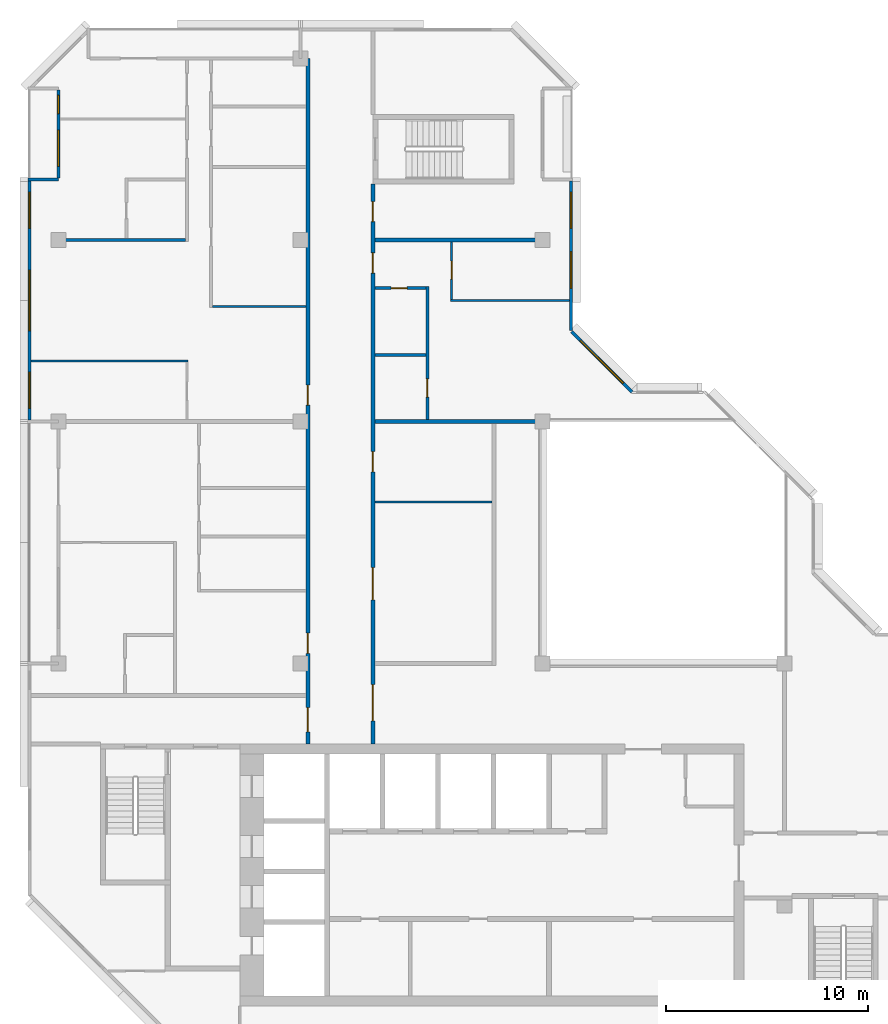
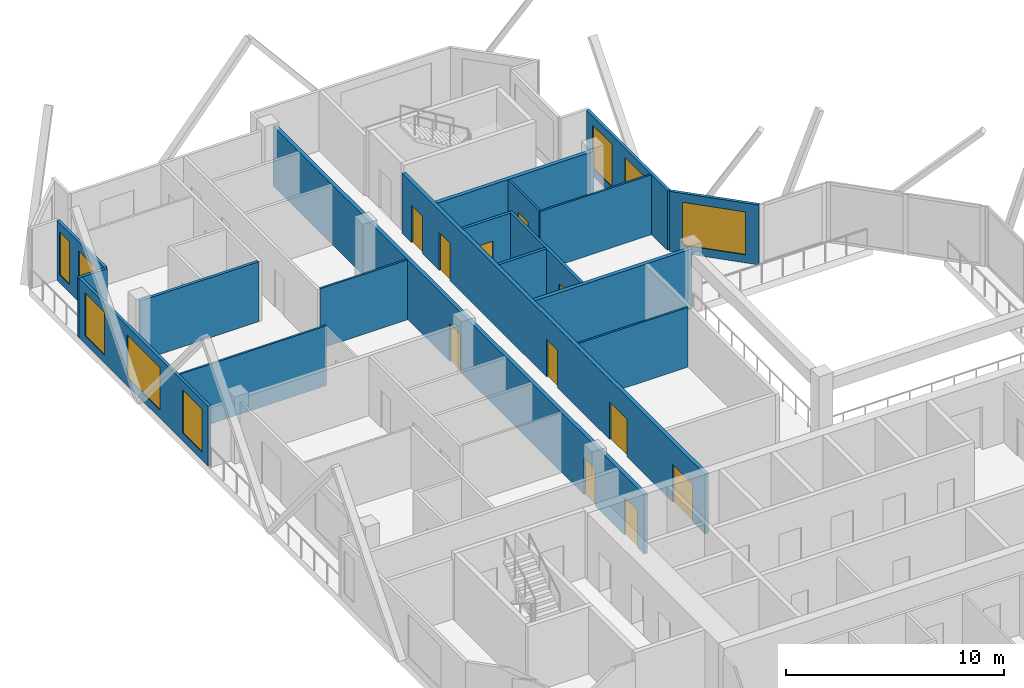
# One storey, part 8 of 12: 18 walls, 11 doors, 8 windows, 19 openings.
"""IFC4 building model written with IfcOpenShell, lengths in metres."""

from ifc_helpers import new_model, si_unit, direction, frame, frame_2d, origin, place, context, subcontext, project, spatial, rectangle, extrude, material, layer, layer_set, type_object, element, fill, save


model = new_model("IFC4")

# Units and contexts
model_context = context("Model", 3, precision=1e-05, world=origin(), true_north=direction((0.0, 1.0)))
body_context = subcontext(model_context, "Body", "Model", "MODEL_VIEW")
ifc_project = project(units=[si_unit("LENGTHUNIT", "METRE"), si_unit("AREAUNIT", "SQUARE_METRE"), si_unit("VOLUMEUNIT", "CUBIC_METRE"), si_unit("PLANEANGLEUNIT", "RADIAN"), si_unit("MASSUNIT", "GRAM", prefix="KILO")], contexts=[model_context])

# Site, building, storey
site_placement = place(None, origin())
site = spatial("IfcSite", under=ifc_project, at=site_placement, CompositionType="ELEMENT")
building_placement = place(site_placement, origin())
building = spatial("IfcBuilding", under=site, at=building_placement, Name="Chenar Terraces", CompositionType="ELEMENT")
storey_placement = place(building_placement, frame((0.0, 0.0, 368.89990234375)))
storey = spatial("IfcBuildingStorey", under=building, at=storey_placement, Name="L86", CompositionType="ELEMENT", Elevation=368.89990234375)

# Wall, openings, doors
ifc_material_1 = material(Name="Gypsum board on steel studs with fire boards", Category="steel")
ifc_layer_1 = layer(ifc_material_1, 0.199951171875)
ifc_layer_set_1 = layer_set([ifc_layer_1], Name="Gypsum board on steel studs with fire boards")
wall_type_1 = type_object("IfcWallType", Name="Corridor wall 200", PredefinedType="PARTITIONING", material=ifc_layer_set_1)
wall_1_placement = place(storey_placement, frame((12.375, 20.0, 0.0), z_axis=(0.0, 0.0, 1.0), x_axis=(0.0, 1.0, 0.0)))
wall_1 = element("IfcWall", 1, at=wall_1_placement, inside=storey, type_object=wall_type_1, Name="Partition L86-028", PredefinedType="PARTITIONING", context=body_context, shape_type="SweptSolid", body=[
    extrude(rectangle(XDim=34.0, YDim=0.199951171875, at=frame_2d((17.0, 0.0))), origin(), (0.0, 0.0, 1.0), 3.35009765625),
])
opening_1_placement = place(wall_1_placement, frame((16.800048828125, 0.0, 0.0)))
opening_1 = element("IfcOpeningElement", 2, at=opening_1_placement, cuts=wall_1, Name="Opening DL86-13", PredefinedType="OPENING", context=body_context, shape_type="SweptSolid", body=[
    extrude(rectangle(XDim=1.0, YDim=2.10009765625, at=frame_2d((0.5, 1.050048828125))), frame((0.0, 0.10986328125, 0.0), z_axis=(0.0, -1.0, 0.0), x_axis=(1.0, 0.0, 0.0)), (0.0, 0.0, 1.0), 0.219970703125),
])
opening_2_placement = place(wall_1_placement, frame((0.60009765625, 0.0, 0.0)))
opening_2 = element("IfcOpeningElement", 3, at=opening_2_placement, cuts=wall_1, Name="Opening DL86-18", PredefinedType="OPENING", context=body_context, shape_type="SweptSolid", body=[
    extrude(rectangle(XDim=1.199951171875, YDim=2.10009765625, at=frame_2d((0.60009765625, 1.050048828125))), frame((0.0, 0.10986328125, 0.0), z_axis=(0.0, -1.0, 0.0), x_axis=(1.0, 0.0, 0.0)), (0.0, 0.0, 1.0), 0.219970703125),
])
opening_3_placement = place(wall_1_placement, frame((4.5, 0.0, 0.0)))
opening_3 = element("IfcOpeningElement", 4, at=opening_3_placement, cuts=wall_1, Name="Opening DL86-41", PredefinedType="OPENING", context=body_context, shape_type="SweptSolid", body=[
    extrude(rectangle(XDim=1.0, YDim=2.10009765625, at=frame_2d((0.5, 1.050048828125))), frame((0.0, 0.10986328125, 0.0), z_axis=(0.0, -1.0, 0.0), x_axis=(1.0, 0.0, 0.0)), (0.0, 0.0, 1.0), 0.219970703125),
])
ifc_material_2 = material(Name="Steel-framed fire-resisting door leaf", Category="steel")
door_type_1 = type_object("IfcDoorType", Name="Fire door FD30S 1000 x 2100", OperationType="SINGLE_SWING_LEFT", PredefinedType="DOOR", material=ifc_material_2)
door_1_placement = place(opening_1_placement, origin())
door_1 = element("IfcDoor", 5, at=door_1_placement, inside=storey, type_object=door_type_1, Name="Door DL86-13", OperationType="SINGLE_SWING_LEFT", OverallHeight=2.10009765625, OverallWidth=1.0, PredefinedType="DOOR", context=body_context, shape_type="SweptSolid", body=[
    extrude(rectangle(XDim=1.0, YDim=2.10009765625, at=frame_2d((0.5, 1.050048828125))), frame((0.0, 0.02490234375, 0.0), z_axis=(0.0, -1.0, 0.0), x_axis=(1.0, 0.0, 0.0)), (0.0, 0.0, 1.0), 0.050048828125),
])
fill(opening_1, door_1)
door_2_placement = place(opening_3_placement, origin())
door_2 = element("IfcDoor", 6, at=door_2_placement, inside=storey, type_object=door_type_1, Name="Door DL86-41", OperationType="SINGLE_SWING_LEFT", OverallHeight=2.10009765625, OverallWidth=1.0, PredefinedType="DOOR", context=body_context, shape_type="SweptSolid", body=[
    extrude(rectangle(XDim=1.0, YDim=2.10009765625, at=frame_2d((0.5, 1.050048828125))), frame((0.0, 0.02490234375, 0.0), z_axis=(0.0, -1.0, 0.0), x_axis=(1.0, 0.0, 0.0)), (0.0, 0.0, 1.0), 0.050048828125),
])
fill(opening_3, door_2)
ifc_material_3 = material(Name="Steel-framed fire-resisting door leaf", Category="steel")
door_type_2 = type_object("IfcDoorType", Name="Fire door FD30S 1200 x 2100", OperationType="SINGLE_SWING_LEFT", PredefinedType="DOOR", material=ifc_material_3)
door_3_placement = place(opening_2_placement, origin())
door_3 = element("IfcDoor", 7, at=door_3_placement, inside=storey, type_object=door_type_2, Name="Door DL86-18", OperationType="SINGLE_SWING_RIGHT", OverallHeight=2.10009765625, OverallWidth=1.199951171875, PredefinedType="DOOR", context=body_context, shape_type="SweptSolid", body=[
    extrude(rectangle(XDim=1.199951171875, YDim=2.10009765625, at=frame_2d((0.60009765625, 1.050048828125))), frame((0.0, 0.02490234375, 0.0), z_axis=(0.0, -1.0, 0.0), x_axis=(1.0, 0.0, 0.0)), (0.0, 0.0, 1.0), 0.050048828125),
])
fill(opening_2, door_3)

wall_2_placement = place(storey_placement, frame((15.60009765625, 20.0, 0.0), z_axis=(0.0, 0.0, 1.0), x_axis=(0.0, 1.0, 0.0)))
wall_2 = element("IfcWall", 8, at=wall_2_placement, inside=storey, type_object=wall_type_1, Name="Partition L86-031", PredefinedType="PARTITIONING", context=body_context, shape_type="SweptSolid", body=[
    extrude(rectangle(XDim=27.77490234375, YDim=0.199951171875, at=frame_2d((13.887451171875, 0.0))), origin(), (0.0, 0.0, 1.0), 3.35009765625),
])
opening_4_placement = place(wall_2_placement, frame((7.14990234375, 0.0, 0.0)))
opening_4 = element("IfcOpeningElement", 9, at=opening_4_placement, cuts=wall_2, Name="Opening DL86-1", PredefinedType="OPENING", context=body_context, shape_type="SweptSolid", body=[
    extrude(rectangle(XDim=1.60009765625, YDim=2.10009765625, at=frame_2d((0.800048828125, 1.050048828125))), frame((0.0, 0.10986328125, 0.0), z_axis=(0.0, -1.0, 0.0), x_axis=(1.0, 0.0, 0.0)), (0.0, 0.0, 1.0), 0.219970703125),
])
opening_5_placement = place(wall_2_placement, frame((13.5, 0.0, 0.0)))
opening_5 = element("IfcOpeningElement", 10, at=opening_5_placement, cuts=wall_2, Name="Opening DL86-2", PredefinedType="OPENING", context=body_context, shape_type="SweptSolid", body=[
    extrude(rectangle(XDim=1.0, YDim=2.10009765625, at=frame_2d((0.5, 1.050048828125))), frame((0.0, 0.10986328125, 0.0), z_axis=(0.0, -1.0, 0.0), x_axis=(1.0, 0.0, 0.0)), (0.0, 0.0, 1.0), 0.219970703125),
])
opening_6_placement = place(wall_2_placement, frame((23.35009765625, 0.0, 0.0)))
opening_6 = element("IfcOpeningElement", 11, at=opening_6_placement, cuts=wall_2, Name="Opening DL86-7", PredefinedType="OPENING", context=body_context, shape_type="SweptSolid", body=[
    extrude(rectangle(XDim=1.0, YDim=2.10009765625, at=frame_2d((0.5, 1.050048828125))), frame((0.0, 0.10986328125, 0.0), z_axis=(0.0, -1.0, 0.0), x_axis=(1.0, 0.0, 0.0)), (0.0, 0.0, 1.0), 0.219970703125),
])
opening_7_placement = place(wall_2_placement, frame((1.14990234375, 0.0, 0.0)))
opening_7 = element("IfcOpeningElement", 12, at=opening_7_placement, cuts=wall_2, Name="Opening DL86-17", PredefinedType="OPENING", context=body_context, shape_type="SweptSolid", body=[
    extrude(rectangle(XDim=1.800048828125, YDim=2.10009765625, at=frame_2d((0.89990234375, 1.050048828125))), frame((0.0, 0.10986328125, 0.0), z_axis=(0.0, -1.0, 0.0), x_axis=(1.0, 0.0, 0.0)), (0.0, 0.0, 1.0), 0.219970703125),
])
opening_8_placement = place(wall_2_placement, frame((25.89990234375, 0.0, 0.0)))
opening_8 = element("IfcOpeningElement", 13, at=opening_8_placement, cuts=wall_2, Name="Opening DL86-20", PredefinedType="OPENING", context=body_context, shape_type="SweptSolid", body=[
    extrude(rectangle(XDim=1.0, YDim=2.10009765625, at=frame_2d((0.5, 1.050048828125))), frame((0.0, 0.10986328125, 0.0), z_axis=(0.0, -1.0, 0.0), x_axis=(1.0, 0.0, 0.0)), (0.0, 0.0, 1.0), 0.219970703125),
])
ifc_material_4 = material(Name="Steel-framed fire-resisting door leaf", Category="steel")
door_type_3 = type_object("IfcDoorType", Name="Fire door FD60 1000 x 2100", OperationType="SINGLE_SWING_LEFT", PredefinedType="DOOR", material=ifc_material_4)
door_4_placement = place(opening_5_placement, frame((1.0, 0.0, 0.0), z_axis=(0.0, 0.0, 1.0), x_axis=(-1.0, 0.0, 0.0)))
door_4 = element("IfcDoor", 14, at=door_4_placement, inside=storey, type_object=door_type_3, Name="Door DL86-2", OperationType="SINGLE_SWING_LEFT", OverallHeight=2.10009765625, OverallWidth=1.0, PredefinedType="DOOR", context=body_context, shape_type="SweptSolid", body=[
    extrude(rectangle(XDim=1.0, YDim=2.10009765625, at=frame_2d((0.5, 1.050048828125))), frame((0.0, 0.02490234375, 0.0), z_axis=(0.0, -1.0, 0.0), x_axis=(1.0, 0.0, 0.0)), (0.0, 0.0, 1.0), 0.050048828125),
])
fill(opening_5, door_4)
door_5_placement = place(opening_6_placement, frame((1.0, 0.0, 0.0), z_axis=(0.0, 0.0, 1.0), x_axis=(-1.0, 0.0, 0.0)))
door_5 = element("IfcDoor", 15, at=door_5_placement, inside=storey, type_object=door_type_3, Name="Door DL86-7", OperationType="SINGLE_SWING_LEFT", OverallHeight=2.10009765625, OverallWidth=1.0, PredefinedType="DOOR", context=body_context, shape_type="SweptSolid", body=[
    extrude(rectangle(XDim=1.0, YDim=2.10009765625, at=frame_2d((0.5, 1.050048828125))), frame((0.0, 0.02490234375, 0.0), z_axis=(0.0, -1.0, 0.0), x_axis=(1.0, 0.0, 0.0)), (0.0, 0.0, 1.0), 0.050048828125),
])
fill(opening_6, door_5)
door_6_placement = place(opening_8_placement, frame((1.0, 0.0, 0.0), z_axis=(0.0, 0.0, 1.0), x_axis=(-1.0, 0.0, 0.0)))
door_6 = element("IfcDoor", 16, at=door_6_placement, inside=storey, type_object=door_type_3, Name="Door DL86-20", OperationType="SINGLE_SWING_RIGHT", OverallHeight=2.10009765625, OverallWidth=1.0, PredefinedType="DOOR", context=body_context, shape_type="SweptSolid", body=[
    extrude(rectangle(XDim=1.0, YDim=2.10009765625, at=frame_2d((0.5, 1.050048828125))), frame((0.0, 0.02490234375, 0.0), z_axis=(0.0, -1.0, 0.0), x_axis=(1.0, 0.0, 0.0)), (0.0, 0.0, 1.0), 0.050048828125),
])
fill(opening_8, door_6)
ifc_material_5 = material(Name="Steel-framed fire-resisting door leaf", Category="steel")
door_type_4 = type_object("IfcDoorType", Name="Fire double door FD60 1600 x 2100", OperationType="DOUBLE_DOOR_SINGLE_SWING", PredefinedType="DOOR", material=ifc_material_5)
door_7_placement = place(opening_4_placement, frame((1.60009765625, 0.0, 0.0), z_axis=(0.0, 0.0, 1.0), x_axis=(-1.0, 0.0, 0.0)))
door_7 = element("IfcDoor", 17, at=door_7_placement, inside=storey, type_object=door_type_4, Name="Door DL86-1", OperationType="DOUBLE_DOOR_SINGLE_SWING", OverallHeight=2.10009765625, OverallWidth=1.60009765625, PredefinedType="DOOR", context=body_context, shape_type="SweptSolid", body=[
    extrude(rectangle(XDim=1.60009765625, YDim=2.10009765625, at=frame_2d((0.800048828125, 1.050048828125))), frame((0.0, 0.02490234375, 0.0), z_axis=(0.0, -1.0, 0.0), x_axis=(1.0, 0.0, 0.0)), (0.0, 0.0, 1.0), 0.050048828125),
])
fill(opening_4, door_7)
ifc_material_6 = material(Name="Steel-framed fire-resisting door leaf", Category="steel")
door_type_5 = type_object("IfcDoorType", Name="Fire double door FD60 1800 x 2100", OperationType="DOUBLE_DOOR_SINGLE_SWING", PredefinedType="DOOR", material=ifc_material_6)
door_8_placement = place(opening_7_placement, frame((1.800048828125, 0.0, 0.0), z_axis=(0.0, 0.0, 1.0), x_axis=(-1.0, 0.0, 0.0)))
door_8 = element("IfcDoor", 18, at=door_8_placement, inside=storey, type_object=door_type_5, Name="Door DL86-17", OperationType="DOUBLE_DOOR_SINGLE_SWING", OverallHeight=2.10009765625, OverallWidth=1.800048828125, PredefinedType="DOOR", context=body_context, shape_type="SweptSolid", body=[
    extrude(rectangle(XDim=1.800048828125, YDim=2.10009765625, at=frame_2d((0.89990234375, 1.050048828125))), frame((0.0, 0.02490234375, 0.0), z_axis=(0.0, -1.0, 0.0), x_axis=(1.0, 0.0, 0.0)), (0.0, 0.0, 1.0), 0.050048828125),
])
fill(opening_7, door_8)

# Wall, openings, windows
ifc_material_7 = material(Name="Aluminium framed glazing", Category="aluminium")
ifc_layer_2 = layer(ifc_material_7, 0.14990234375)
ifc_layer_set_2 = layer_set([ifc_layer_2], Name="Aluminium framed glazing")
wall_type_2 = type_object("IfcWallType", Name="Glazed flush facade wall 150", PredefinedType="SOLIDWALL", material=ifc_layer_set_2)
wall_3_placement = place(storey_placement, frame((25.425048828125, 40.5, 0.0), z_axis=(0.0, 0.0, 1.0), x_axis=(0.0, 1.0, 0.0)))
wall_3 = element("IfcWall", 19, at=wall_3_placement, inside=storey, type_object=wall_type_2, Name="Glazed flush facade wall", PredefinedType="SOLIDWALL", context=body_context, shape_type="SweptSolid", body=[
    extrude(rectangle(XDim=7.425048828125, YDim=0.14990234375, at=frame_2d((3.71240234375, 0.0))), origin(), (0.0, 0.0, 1.0), 3.35009765625),
])
opening_9_placement = place(wall_3_placement, frame((2.10009765625, 0.0, 0.449951171875)))
opening_9 = element("IfcOpeningElement", 20, at=opening_9_placement, cuts=wall_3, Name="Opening W180x240", PredefinedType="OPENING", context=body_context, shape_type="SweptSolid", body=[
    extrude(rectangle(XDim=1.800048828125, YDim=2.39990234375, at=frame_2d((0.89990234375, 1.199951171875))), frame((0.0, 0.0849609375, 0.0), z_axis=(0.0, -1.0, 0.0), x_axis=(1.0, 0.0, 0.0)), (0.0, 0.0, 1.0), 0.169921875),
])
opening_10_placement = place(wall_3_placement, frame((5.0625, 0.0, 0.449951171875)))
opening_10 = element("IfcOpeningElement", 21, at=opening_10_placement, cuts=wall_3, Name="Opening W180x240", PredefinedType="OPENING", context=body_context, shape_type="SweptSolid", body=[
    extrude(rectangle(XDim=1.800048828125, YDim=2.39990234375, at=frame_2d((0.89990234375, 1.199951171875))), frame((0.0, 0.0849609375, 0.0), z_axis=(0.0, -1.0, 0.0), x_axis=(1.0, 0.0, 0.0)), (0.0, 0.0, 1.0), 0.169921875),
])
ifc_material_8 = material(Name="Low emissivity double glazing, aluminium frame", Category="aluminium")
window_type_1 = type_object("IfcWindowType", Name="Fixed light 1800 x 2400", PartitioningType="SINGLE_PANEL", PredefinedType="WINDOW", material=ifc_material_8)
window_1_placement = place(opening_9_placement, origin())
window_1 = element("IfcWindow", 22, at=window_1_placement, inside=storey, type_object=window_type_1, Name="Window", OverallHeight=2.39990234375, OverallWidth=1.800048828125, PartitioningType="SINGLE_PANEL", PredefinedType="WINDOW", context=body_context, shape_type="SweptSolid", body=[
    extrude(rectangle(XDim=1.800048828125, YDim=2.39990234375, at=frame_2d((0.89990234375, 1.199951171875))), frame((0.0, 0.030029296875, 0.0), z_axis=(0.0, -1.0, 0.0), x_axis=(1.0, 0.0, 0.0)), (0.0, 0.0, 1.0), 0.06005859375),
])
fill(opening_9, window_1)
window_2_placement = place(opening_10_placement, origin())
window_2 = element("IfcWindow", 23, at=window_2_placement, inside=storey, type_object=window_type_1, Name="Window", OverallHeight=2.39990234375, OverallWidth=1.800048828125, PartitioningType="SINGLE_PANEL", PredefinedType="WINDOW", context=body_context, shape_type="SweptSolid", body=[
    extrude(rectangle(XDim=1.800048828125, YDim=2.39990234375, at=frame_2d((0.89990234375, 1.199951171875))), frame((0.0, 0.030029296875, 0.0), z_axis=(0.0, -1.0, 0.0), x_axis=(1.0, 0.0, 0.0)), (0.0, 0.0, 1.0), 0.06005859375),
])
fill(opening_10, window_2)

wall_4_placement = place(storey_placement, frame((-1.425048828125, 47.925048828125, 0.0), z_axis=(0.0, 0.0, 1.0), x_axis=(0.0, -1.0, 0.0)))
wall_4 = element("IfcWall", 24, at=wall_4_placement, inside=storey, type_object=wall_type_2, Name="Glazed flush facade wall", PredefinedType="SOLIDWALL", context=body_context, shape_type="SweptSolid", body=[
    extrude(rectangle(XDim=11.85009765625, YDim=0.14990234375, at=frame_2d((5.925048828125, 0.0))), origin(), (0.0, 0.0, 1.0), 3.35009765625),
])
opening_11_placement = place(wall_4_placement, frame((0.5625, 0.0, 0.449951171875)))
opening_11 = element("IfcOpeningElement", 25, at=opening_11_placement, cuts=wall_4, Name="Opening W180x240", PredefinedType="OPENING", context=body_context, shape_type="SweptSolid", body=[
    extrude(rectangle(XDim=1.800048828125, YDim=2.39990234375, at=frame_2d((0.89990234375, 1.199951171875))), frame((0.0, 0.0849609375, 0.0), z_axis=(0.0, -1.0, 0.0), x_axis=(1.0, 0.0, 0.0)), (0.0, 0.0, 1.0), 0.169921875),
])
opening_12_placement = place(wall_4_placement, frame((4.425048828125, 0.0, 0.449951171875)))
opening_12 = element("IfcOpeningElement", 26, at=opening_12_placement, cuts=wall_4, Name="Opening W300x240", PredefinedType="OPENING", context=body_context, shape_type="SweptSolid", body=[
    extrude(rectangle(XDim=3.0, YDim=2.39990234375, at=frame_2d((1.5, 1.199951171875))), frame((0.0, 0.0849609375, 0.0), z_axis=(0.0, -1.0, 0.0), x_axis=(1.0, 0.0, 0.0)), (0.0, 0.0, 1.0), 0.169921875),
])
opening_13_placement = place(wall_4_placement, frame((9.487548828125, 0.0, 0.449951171875)))
opening_13 = element("IfcOpeningElement", 27, at=opening_13_placement, cuts=wall_4, Name="Opening W180x240", PredefinedType="OPENING", context=body_context, shape_type="SweptSolid", body=[
    extrude(rectangle(XDim=1.800048828125, YDim=2.39990234375, at=frame_2d((0.89990234375, 1.199951171875))), frame((0.0, 0.0849609375, 0.0), z_axis=(0.0, -1.0, 0.0), x_axis=(1.0, 0.0, 0.0)), (0.0, 0.0, 1.0), 0.169921875),
])
window_3_placement = place(opening_11_placement, origin())
window_3 = element("IfcWindow", 28, at=window_3_placement, inside=storey, type_object=window_type_1, Name="Window", OverallHeight=2.39990234375, OverallWidth=1.800048828125, PartitioningType="SINGLE_PANEL", PredefinedType="WINDOW", context=body_context, shape_type="SweptSolid", body=[
    extrude(rectangle(XDim=1.800048828125, YDim=2.39990234375, at=frame_2d((0.89990234375, 1.199951171875))), frame((0.0, 0.030029296875, 0.0), z_axis=(0.0, -1.0, 0.0), x_axis=(1.0, 0.0, 0.0)), (0.0, 0.0, 1.0), 0.06005859375),
])
fill(opening_11, window_3)
window_4_placement = place(opening_13_placement, origin())
window_4 = element("IfcWindow", 29, at=window_4_placement, inside=storey, type_object=window_type_1, Name="Window", OverallHeight=2.39990234375, OverallWidth=1.800048828125, PartitioningType="SINGLE_PANEL", PredefinedType="WINDOW", context=body_context, shape_type="SweptSolid", body=[
    extrude(rectangle(XDim=1.800048828125, YDim=2.39990234375, at=frame_2d((0.89990234375, 1.199951171875))), frame((0.0, 0.030029296875, 0.0), z_axis=(0.0, -1.0, 0.0), x_axis=(1.0, 0.0, 0.0)), (0.0, 0.0, 1.0), 0.06005859375),
])
fill(opening_13, window_4)
ifc_material_9 = material(Name="Low emissivity double glazing, aluminium frame", Category="aluminium")
window_type_2 = type_object("IfcWindowType", Name="Fixed light 3000 x 2400", PartitioningType="SINGLE_PANEL", PredefinedType="WINDOW", material=ifc_material_9)
window_5_placement = place(opening_12_placement, origin())
window_5 = element("IfcWindow", 30, at=window_5_placement, inside=storey, type_object=window_type_2, Name="Window", OverallHeight=2.39990234375, OverallWidth=3.0, PartitioningType="SINGLE_PANEL", PredefinedType="WINDOW", context=body_context, shape_type="SweptSolid", body=[
    extrude(rectangle(XDim=3.0, YDim=2.39990234375, at=frame_2d((1.5, 1.199951171875))), frame((0.0, 0.030029296875, 0.0), z_axis=(0.0, -1.0, 0.0), x_axis=(1.0, 0.0, 0.0)), (0.0, 0.0, 1.0), 0.06005859375),
])
fill(opening_12, window_5)

ifc_material_10 = material(Name="Aluminium framed glazing", Category="aluminium")
ifc_layer_3 = layer(ifc_material_10, 0.14990234375)
ifc_layer_set_3 = layer_set([ifc_layer_3], Name="Aluminium framed glazing")
wall_type_3 = type_object("IfcWallType", Name="Glazed loggia back wall 150", PredefinedType="SOLIDWALL", material=ifc_layer_set_3)
wall_5_placement = place(storey_placement, frame((0.0, 52.425048828125, 0.0), z_axis=(0.0, 0.0, 1.0), x_axis=(0.0, -1.0, 0.0)))
wall_5 = element("IfcWall", 31, at=wall_5_placement, inside=storey, type_object=wall_type_3, Name="Glazed loggia back wall", PredefinedType="SOLIDWALL", context=body_context, shape_type="SweptSolid", body=[
    extrude(rectangle(XDim=4.35009765625, YDim=0.14990234375, at=frame_2d((2.175048828125, 0.0))), origin(), (0.0, 0.0, 1.0), 3.35009765625),
])
opening_14_placement = place(wall_5_placement, frame((0.262451171875, 0.0, 0.449951171875)))
opening_14 = element("IfcOpeningElement", 32, at=opening_14_placement, cuts=wall_5, Name="Opening W90x240", PredefinedType="OPENING", context=body_context, shape_type="SweptSolid", body=[
    extrude(rectangle(XDim=0.89990234375, YDim=2.39990234375, at=frame_2d((0.449951171875, 1.199951171875))), frame((0.0, 0.0849609375, 0.0), z_axis=(0.0, -1.0, 0.0), x_axis=(1.0, 0.0, 0.0)), (0.0, 0.0, 1.0), 0.169921875),
])
opening_15_placement = place(wall_5_placement, frame((1.987548828125, 0.0, 0.449951171875)))
opening_15 = element("IfcOpeningElement", 33, at=opening_15_placement, cuts=wall_5, Name="Opening W180x240", PredefinedType="OPENING", context=body_context, shape_type="SweptSolid", body=[
    extrude(rectangle(XDim=1.800048828125, YDim=2.39990234375, at=frame_2d((0.89990234375, 1.199951171875))), frame((0.0, 0.0849609375, 0.0), z_axis=(0.0, -1.0, 0.0), x_axis=(1.0, 0.0, 0.0)), (0.0, 0.0, 1.0), 0.169921875),
])
window_6_placement = place(opening_15_placement, origin())
window_6 = element("IfcWindow", 34, at=window_6_placement, inside=storey, type_object=window_type_1, Name="Window", OverallHeight=2.39990234375, OverallWidth=1.800048828125, PartitioningType="SINGLE_PANEL", PredefinedType="WINDOW", context=body_context, shape_type="SweptSolid", body=[
    extrude(rectangle(XDim=1.800048828125, YDim=2.39990234375, at=frame_2d((0.89990234375, 1.199951171875))), frame((0.0, 0.030029296875, 0.0), z_axis=(0.0, -1.0, 0.0), x_axis=(1.0, 0.0, 0.0)), (0.0, 0.0, 1.0), 0.06005859375),
])
fill(opening_15, window_6)
ifc_material_11 = material(Name="Low emissivity double glazing, aluminium frame", Category="aluminium")
window_type_3 = type_object("IfcWindowType", Name="Fixed light 900 x 2400", PartitioningType="SINGLE_PANEL", PredefinedType="WINDOW", material=ifc_material_11)
window_7_placement = place(opening_14_placement, origin())
window_7 = element("IfcWindow", 35, at=window_7_placement, inside=storey, type_object=window_type_3, Name="Window", OverallHeight=2.39990234375, OverallWidth=0.89990234375, PartitioningType="SINGLE_PANEL", PredefinedType="WINDOW", context=body_context, shape_type="SweptSolid", body=[
    extrude(rectangle(XDim=0.89990234375, YDim=2.39990234375, at=frame_2d((0.449951171875, 1.199951171875))), frame((0.0, 0.030029296875, 0.0), z_axis=(0.0, -1.0, 0.0), x_axis=(1.0, 0.0, 0.0)), (0.0, 0.0, 1.0), 0.06005859375),
])
fill(opening_14, window_7)

# Walls
ifc_material_12 = material(Name="Gypsum board on steel studs", Category="steel")
ifc_layer_4 = layer(ifc_material_12, 0.10009765625)
ifc_layer_set_4 = layer_set([ifc_layer_4], Name="Gypsum board on steel studs")
wall_type_4 = type_object("IfcWallType", Name="Gypsum partition 100", PredefinedType="PARTITIONING", material=ifc_layer_set_4)
wall_6_placement = place(storey_placement, frame((-1.35009765625, 39.0, 0.0), z_axis=(0.0, 0.0, 1.0), x_axis=(1.0, 0.0, 0.0)))
element("IfcWall", 36, at=wall_6_placement, inside=storey, type_object=wall_type_4, Name="Partition L86-004", PredefinedType="PARTITIONING", context=body_context, shape_type="SweptSolid", body=[
    extrude(rectangle(XDim=7.775146484375, YDim=0.10009765625, at=frame_2d((3.8876953125, 0.0))), origin(), (0.0, 0.0, 1.0), 3.35009765625),
])
wall_7_placement = place(storey_placement, frame((7.64990234375, 41.699951171875, 0.0), z_axis=(0.0, 0.0, 1.0), x_axis=(1.0, 0.0, 0.0)))
element("IfcWall", 37, at=wall_7_placement, inside=storey, type_object=wall_type_4, Name="Partition L86-021", PredefinedType="PARTITIONING", context=body_context, shape_type="SweptSolid", body=[
    extrude(rectangle(XDim=4.625, YDim=0.10009765625, at=frame_2d((2.3125, 0.0))), origin(), (0.0, 0.0, 1.0), 3.35009765625),
])
wall_8_placement = place(storey_placement, frame((15.699951171875, 32.0, 0.0), z_axis=(0.0, 0.0, 1.0), x_axis=(1.0, 0.0, 0.0)))
element("IfcWall", 38, at=wall_8_placement, inside=storey, type_object=wall_type_4, Name="Partition L86-034", PredefinedType="PARTITIONING", context=body_context, shape_type="SweptSolid", body=[
    extrude(rectangle(XDim=5.800048828125, YDim=0.10009765625, at=frame_2d((2.89990234375, 0.0))), origin(), (0.0, 0.0, 1.0), 3.35009765625),
])
wall_9_placement = place(storey_placement, frame((19.449951171875, 42.0, 0.0), z_axis=(0.0, 0.0, 1.0), x_axis=(1.0, 0.0, 0.0)))
element("IfcWall", 39, at=wall_9_placement, inside=storey, type_object=wall_type_4, Name="Partition L86-041", PredefinedType="PARTITIONING", context=body_context, shape_type="SweptSolid", body=[
    extrude(rectangle(XDim=5.900146484375, YDim=0.10009765625, at=frame_2d((2.9501953125, 0.0))), origin(), (0.0, 0.0, 1.0), 3.35009765625),
])

# Wall, opening, door
wall_10_placement = place(storey_placement, frame((19.5, 42.050048828125, 0.0), z_axis=(0.0, 0.0, 1.0), x_axis=(0.0, 1.0, 0.0)))
wall_10 = element("IfcWall", 40, at=wall_10_placement, inside=storey, type_object=wall_type_4, Name="Partition L86-042", PredefinedType="PARTITIONING", context=body_context, shape_type="SweptSolid", body=[
    extrude(rectangle(XDim=2.849853515625, YDim=0.10009765625, at=frame_2d((1.4248046875, 0.0))), origin(), (0.0, 0.0, 1.0), 3.35009765625),
])
opening_16_placement = place(wall_10_placement, frame((1.0, 0.0, 0.0)))
opening_16 = element("IfcOpeningElement", 41, at=opening_16_placement, cuts=wall_10, Name="Opening DL86-5", PredefinedType="OPENING", context=body_context, shape_type="SweptSolid", body=[
    extrude(rectangle(XDim=0.89990234375, YDim=2.10009765625, at=frame_2d((0.449951171875, 1.050048828125))), frame((0.0, 0.06005859375, 0.0), z_axis=(0.0, -1.0, 0.0), x_axis=(1.0, 0.0, 0.0)), (0.0, 0.0, 1.0), 0.1201171875),
])
ifc_material_13 = material(Name="Veneered timber door leaf", Category="wood")
door_type_6 = type_object("IfcDoorType", Name="Door 900 x 2100", OperationType="SINGLE_SWING_LEFT", PredefinedType="DOOR", material=ifc_material_13)
door_9_placement = place(opening_16_placement, frame((0.89990234375, 0.0, 0.0), z_axis=(0.0, 0.0, 1.0), x_axis=(-1.0, 0.0, 0.0)))
door_9 = element("IfcDoor", 42, at=door_9_placement, inside=storey, type_object=door_type_6, Name="Door DL86-5", OperationType="SINGLE_SWING_LEFT", OverallHeight=2.10009765625, OverallWidth=0.89990234375, PredefinedType="DOOR", context=body_context, shape_type="SweptSolid", body=[
    extrude(rectangle(XDim=0.89990234375, YDim=2.10009765625, at=frame_2d((0.449951171875, 1.050048828125))), frame((0.0, 0.02490234375, 0.0), z_axis=(0.0, -1.0, 0.0), x_axis=(1.0, 0.0, 0.0)), (0.0, 0.0, 1.0), 0.050048828125),
])
fill(opening_16, door_9)

# Wall
ifc_material_14 = material(Name="Terracotta cladding on insulated backing", Category="masonry")
ifc_layer_5 = layer(ifc_material_14, 0.14990234375)
ifc_layer_set_5 = layer_set([ifc_layer_5], Name="Terracotta cladding on insulated backing")
wall_type_5 = type_object("IfcWallType", Name="Loggia return wall 150", PredefinedType="SOLIDWALL", material=ifc_layer_set_5)
wall_11_placement = place(storey_placement, frame((-1.5, 48.0, 0.0), z_axis=(0.0, 0.0, 1.0), x_axis=(1.0, 0.0, 0.0)))
element("IfcWall", 43, at=wall_11_placement, inside=storey, type_object=wall_type_5, Name="Loggia return wall", PredefinedType="SOLIDWALL", context=body_context, shape_type="SweptSolid", body=[
    extrude(rectangle(XDim=1.5, YDim=0.14990234375, at=frame_2d((0.75, 0.0))), origin(), (0.0, 0.0, 1.0), 3.35009765625),
])

# Wall, opening, window
ifc_material_15 = material(Name="Terracotta cladding on insulated backing", Category="masonry")
ifc_layer_6 = layer(ifc_material_15, 0.14990234375)
ifc_layer_set_6 = layer_set([ifc_layer_6], Name="Terracotta cladding on insulated backing")
wall_type_6 = type_object("IfcWallType", Name="Terracotta rainscreen wall 150", PredefinedType="SOLIDWALL", material=ifc_layer_set_6)
wall_12_placement = place(storey_placement, frame((28.447021484375, 37.447021484375, 0.0), z_axis=(0.0, 0.0, 1.0), x_axis=(-0.707106781187, 0.707106781187, 0.0)))
wall_12 = element("IfcWall", 44, at=wall_12_placement, inside=storey, type_object=wall_type_6, Name="Terracotta rainscreen wall", PredefinedType="SOLIDWALL", context=body_context, shape_type="SweptSolid", body=[
    extrude(rectangle(XDim=4.24267578125, YDim=0.14990234375, at=frame_2d((2.121337890625, 0.0))), origin(), (0.0, 0.0, 1.0), 3.35009765625),
])
opening_17_placement = place(wall_12_placement, frame((0.621337890625, 0.0, 0.449951171875)))
opening_17 = element("IfcOpeningElement", 45, at=opening_17_placement, cuts=wall_12, Name="Opening W300x240", PredefinedType="OPENING", context=body_context, shape_type="SweptSolid", body=[
    extrude(rectangle(XDim=3.0, YDim=2.39990234375, at=frame_2d((1.5, 1.199951171875))), frame((0.0, 0.0849609375, 0.0), z_axis=(0.0, -1.0, 0.0), x_axis=(1.0, 0.0, 0.0)), (0.0, 0.0, 1.0), 0.169921875),
])
window_8_placement = place(opening_17_placement, origin())
window_8 = element("IfcWindow", 46, at=window_8_placement, inside=storey, type_object=window_type_2, Name="Window", OverallHeight=2.39990234375, OverallWidth=3.0, PartitioningType="SINGLE_PANEL", PredefinedType="WINDOW", context=body_context, shape_type="SweptSolid", body=[
    extrude(rectangle(XDim=3.0, YDim=2.39990234375, at=frame_2d((1.5, 1.199951171875))), frame((0.0, 0.030029296875, 0.0), z_axis=(0.0, -1.0, 0.0), x_axis=(1.0, 0.0, 0.0)), (0.0, 0.0, 1.0), 0.06005859375),
])
fill(opening_17, window_8)

# Walls
ifc_material_16 = material(Name="Twin gypsum board on steel studs with mineral wool", Category="steel")
ifc_layer_7 = layer(ifc_material_16, 0.199951171875)
ifc_layer_set_7 = layer_set([ifc_layer_7], Name="Twin gypsum board on steel studs with mineral wool")
wall_type_7 = type_object("IfcWallType", Name="Unit demising wall 200", PredefinedType="PARTITIONING", material=ifc_layer_set_7)
for number, where, z_axis, x_axis, name in (
    (47, (15.699951171875, 36.0, 0.0), (0.0, 0.0, 1.0), (1.0, 0.0, 0.0), "Partition L86-035"),
    (48, (15.699951171875, 45.0, 0.0), (0.0, 0.0, 1.0), (1.0, 0.0, 0.0), "Partition L86-038"),
):
    element("IfcWall", number, at=place(storey_placement, frame(where, z_axis=z_axis, x_axis=x_axis)), inside=storey, type_object=wall_type_7, Name=name, PredefinedType="PARTITIONING", context=body_context, shape_type="SweptSolid", body=[
        extrude(rectangle(XDim=8.300048828125, YDim=0.199951171875, at=frame_2d((4.14990234375, 0.0))), origin(), (0.0, 0.0, 1.0), 3.35009765625),
    ])
ifc_material_17 = material(Name="Moisture-resistant gypsum board on steel studs", Category="steel")
ifc_layer_8 = layer(ifc_material_17, 0.14990234375)
ifc_layer_set_8 = layer_set([ifc_layer_8], Name="Moisture-resistant gypsum board on steel studs")
wall_type_8 = type_object("IfcWallType", Name="Wet-room partition 150", PredefinedType="PARTITIONING", material=ifc_layer_set_8)
wall_13_placement = place(storey_placement, frame((0.0, 45.0, 0.0), z_axis=(0.0, 0.0, 1.0), x_axis=(1.0, 0.0, 0.0)))
element("IfcWall", 49, at=wall_13_placement, inside=storey, type_object=wall_type_8, Name="Partition L86-005", PredefinedType="PARTITIONING", context=body_context, shape_type="SweptSolid", body=[
    extrude(rectangle(XDim=6.300048828125, YDim=0.14990234375, at=frame_2d((3.14990234375, 0.0))), origin(), (0.0, 0.0, 1.0), 3.35009765625),
])
wall_14_placement = place(storey_placement, frame((15.699951171875, 39.300048828125, 0.0), z_axis=(0.0, 0.0, 1.0), x_axis=(1.0, 0.0, 0.0)))
element("IfcWall", 50, at=wall_14_placement, inside=storey, type_object=wall_type_8, Name="Partition L86-036", PredefinedType="PARTITIONING", context=body_context, shape_type="SweptSolid", body=[
    extrude(rectangle(XDim=2.525146484375, YDim=0.14990234375, at=frame_2d((1.2626953125, 0.0))), origin(), (0.0, 0.0, 1.0), 3.35009765625),
])

# Wall, opening, door
wall_15_placement = place(storey_placement, frame((15.699951171875, 42.60009765625, 0.0), z_axis=(0.0, 0.0, 1.0), x_axis=(1.0, 0.0, 0.0)))
wall_15 = element("IfcWall", 51, at=wall_15_placement, inside=storey, type_object=wall_type_8, Name="Partition L86-037", PredefinedType="PARTITIONING", context=body_context, shape_type="SweptSolid", body=[
    extrude(rectangle(XDim=2.525146484375, YDim=0.14990234375, at=frame_2d((1.2626953125, 0.0))), origin(), (0.0, 0.0, 1.0), 3.35009765625),
])
opening_18_placement = place(wall_15_placement, frame((0.800048828125, 0.0, 0.0)))
opening_18 = element("IfcOpeningElement", 52, at=opening_18_placement, cuts=wall_15, Name="Opening DL86-4", PredefinedType="OPENING", context=body_context, shape_type="SweptSolid", body=[
    extrude(rectangle(XDim=0.800048828125, YDim=2.10009765625, at=frame_2d((0.39990234375, 1.050048828125))), frame((0.0, 0.0849609375, 0.0), z_axis=(0.0, -1.0, 0.0), x_axis=(1.0, 0.0, 0.0)), (0.0, 0.0, 1.0), 0.169921875),
])
ifc_material_18 = material(Name="Veneered timber door leaf", Category="wood")
door_type_7 = type_object("IfcDoorType", Name="Door 800 x 2100", OperationType="SINGLE_SWING_LEFT", PredefinedType="DOOR", material=ifc_material_18)
door_10_placement = place(opening_18_placement, frame((0.800048828125, 0.0, 0.0), z_axis=(0.0, 0.0, 1.0), x_axis=(-1.0, 0.0, 0.0)))
door_10 = element("IfcDoor", 53, at=door_10_placement, inside=storey, type_object=door_type_7, Name="Door DL86-4", OperationType="SINGLE_SWING_RIGHT", OverallHeight=2.10009765625, OverallWidth=0.800048828125, PredefinedType="DOOR", context=body_context, shape_type="SweptSolid", body=[
    extrude(rectangle(XDim=0.800048828125, YDim=2.10009765625, at=frame_2d((0.39990234375, 1.050048828125))), frame((0.0, 0.02490234375, 0.0), z_axis=(0.0, -1.0, 0.0), x_axis=(1.0, 0.0, 0.0)), (0.0, 0.0, 1.0), 0.050048828125),
])
fill(opening_18, door_10)

wall_16_placement = place(storey_placement, frame((18.300048828125, 36.10009765625, 0.0), z_axis=(0.0, 0.0, 1.0), x_axis=(0.0, 1.0, 0.0)))
wall_16 = element("IfcWall", 54, at=wall_16_placement, inside=storey, type_object=wall_type_8, Name="Partition L86-040", PredefinedType="PARTITIONING", context=body_context, shape_type="SweptSolid", body=[
    extrude(rectangle(XDim=6.574951171875, YDim=0.14990234375, at=frame_2d((3.28759765625, 0.0))), origin(), (0.0, 0.0, 1.0), 3.35009765625),
])
opening_19_placement = place(wall_16_placement, frame((1.10009765625, 0.0, 0.0)))
opening_19 = element("IfcOpeningElement", 55, at=opening_19_placement, cuts=wall_16, Name="Opening DL86-6", PredefinedType="OPENING", context=body_context, shape_type="SweptSolid", body=[
    extrude(rectangle(XDim=0.89990234375, YDim=2.10009765625, at=frame_2d((0.449951171875, 1.050048828125))), frame((0.0, 0.0849609375, 0.0), z_axis=(0.0, -1.0, 0.0), x_axis=(1.0, 0.0, 0.0)), (0.0, 0.0, 1.0), 0.169921875),
])
door_11_placement = place(opening_19_placement, origin())
door_11 = element("IfcDoor", 56, at=door_11_placement, inside=storey, type_object=door_type_6, Name="Door DL86-6", OperationType="SINGLE_SWING_LEFT", OverallHeight=2.10009765625, OverallWidth=0.89990234375, PredefinedType="DOOR", context=body_context, shape_type="SweptSolid", body=[
    extrude(rectangle(XDim=0.89990234375, YDim=2.10009765625, at=frame_2d((0.449951171875, 1.050048828125))), frame((0.0, 0.02490234375, 0.0), z_axis=(0.0, -1.0, 0.0), x_axis=(1.0, 0.0, 0.0)), (0.0, 0.0, 1.0), 0.050048828125),
])
fill(opening_19, door_11)

save(model, "model.ifc")
